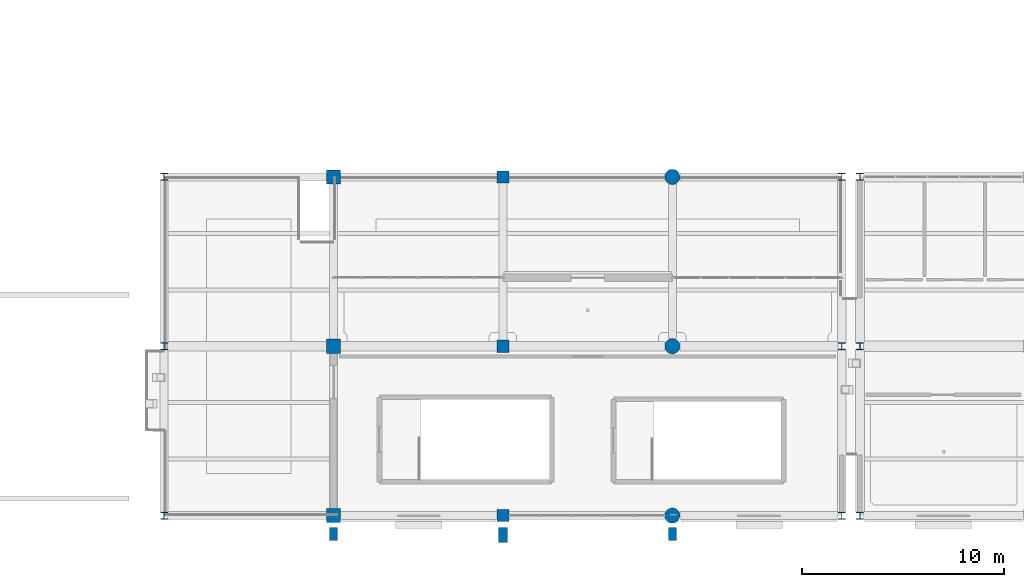
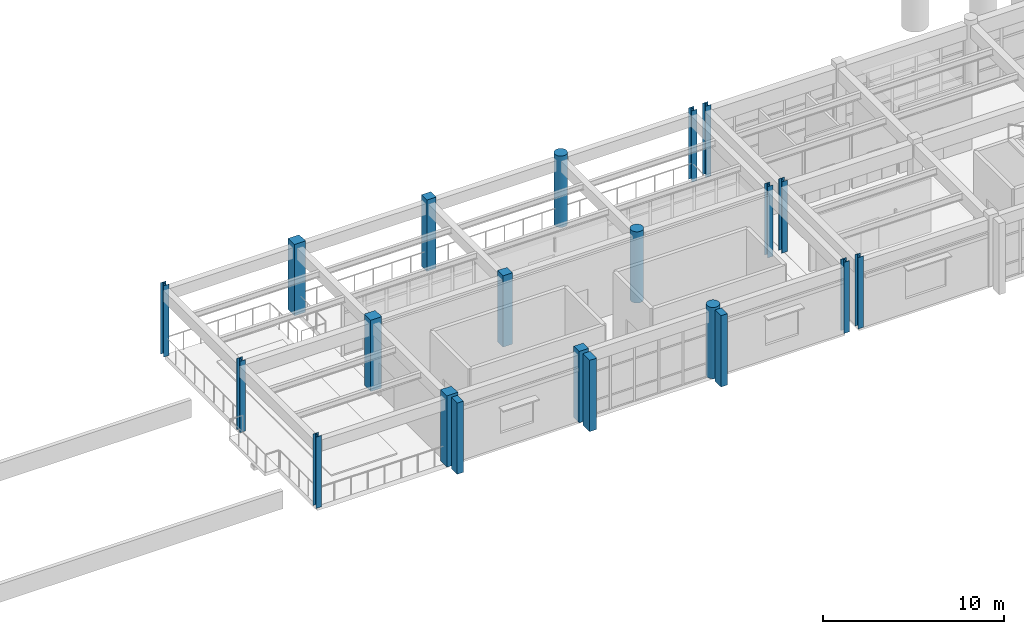
# One storey, part 3 of 139: 21 columns.
"""IFC4 building model written with IfcOpenShell, lengths in metres."""

from ifc_helpers import new_model, si_unit, direction, frame, origin, origin_2d, place, context, subcontext, project, spatial, rectangle, circle, i_section, extrude, material, material_profile, profile_set, type_object, element, save


model = new_model("IFC4")

# Units and contexts
model_context = context("Model", 3, precision=1e-05, world=origin(), true_north=direction((0.0, 1.0)))
body_context = subcontext(model_context, "Body", "Model", "MODEL_VIEW")
ifc_project = project(units=[si_unit("LENGTHUNIT", "METRE"), si_unit("AREAUNIT", "SQUARE_METRE"), si_unit("VOLUMEUNIT", "CUBIC_METRE"), si_unit("PLANEANGLEUNIT", "RADIAN"), si_unit("MASSUNIT", "GRAM", prefix="KILO")], contexts=[model_context])

# Site, building, storey
site_placement = place(None, origin())
site = spatial("IfcSite", under=ifc_project, at=site_placement, CompositionType="ELEMENT")
building_placement = place(site_placement, origin())
building = spatial("IfcBuilding", under=site, at=building_placement, Name="Canglan Escarpment Cableway Terminal", CompositionType="ELEMENT")
storey_placement = place(building_placement, frame((0.0, 0.0, 14.39990234375)))
storey = spatial("IfcBuildingStorey", under=building, at=storey_placement, Name="L03", CompositionType="ELEMENT", Elevation=14.39990234375)

# Columns
ifc_material_1 = material(Name="Steel Q355C", Category="steel")
ifc_material_profile_1 = material_profile(ifc_material_1, i_section(OverallWidth=0.35009765625, OverallDepth=0.35009765625, WebThickness=0.011962890625, FlangeThickness=0.01904296875, FilletRadius=0.02001953125, at=origin_2d()), Name="HW 350x350x12x19")
ifc_profile_set_1 = profile_set([ifc_material_profile_1], Name="Steel Q355C")
column_type_1 = type_object("IfcColumnType", Name="COL-HW350-Q355C", PredefinedType="COLUMN", material=ifc_profile_set_1)
for number, where, z_axis, x_axis, name in (
    (1, (77.0, 8.0, 0.0), (0.0, 0.0, 1.0), (1.0, 0.0, 0.0), "Structural column C-09"),
    (2, (77.0, 16.39990234375, 0.0), (0.0, 0.0, 1.0), (1.0, 0.0, 0.0), "Structural column C-09"),
    (3, (77.0, 24.800048828125, 0.0), (0.0, 0.0, 1.0), (1.0, 0.0, 0.0), "Structural column C-09"),
    (4, (110.60009765625, 8.0, 0.0), (0.0, 0.0, 1.0), (1.0, 0.0, 0.0), "Structural column C-09"),
    (5, (110.60009765625, 16.39990234375, 0.0), (0.0, 0.0, 1.0), (1.0, 0.0, 0.0), "Structural column C-09"),
    (6, (110.60009765625, 24.800048828125, 0.0), (0.0, 0.0, 1.0), (1.0, 0.0, 0.0), "Structural column C-09"),
    (7, (111.5, 8.0, 0.0), (0.0, 0.0, 1.0), (1.0, 0.0, 0.0), "Structural column C-09"),
    (8, (111.5, 16.39990234375, 0.0), (0.0, 0.0, 1.0), (1.0, 0.0, 0.0), "Structural column C-09"),
    (9, (111.5, 24.800048828125, 0.0), (0.0, 0.0, 1.0), (1.0, 0.0, 0.0), "Structural column C-09"),
):
    element("IfcColumn", number, at=place(storey_placement, frame(where, z_axis=z_axis, x_axis=x_axis)), inside=storey, type_object=column_type_1, Name=name, PredefinedType="COLUMN", context=body_context, shape_type="SweptSolid", body=[
        extrude(i_section(OverallWidth=0.35009765625, OverallDepth=0.35009765625, WebThickness=0.011962890625, FlangeThickness=0.01904296875, FilletRadius=0.02001953125, at=origin_2d()), origin(), (0.0, 0.0, 1.0), 4.800048828125),
    ])
ifc_material_2 = material(Name="Concrete C40", Category="concrete")
ifc_material_profile_2 = material_profile(ifc_material_2, rectangle(XDim=0.60009765625, YDim=0.60009765625, at=origin_2d()), Name="RC 600x600")
ifc_profile_set_2 = profile_set([ifc_material_profile_2], Name="Concrete C40")
column_type_2 = type_object("IfcColumnType", Name="COL-RC600-C40", PredefinedType="COLUMN", material=ifc_profile_set_2)
for number, where, z_axis, x_axis, name in (
    (10, (93.800048828125, 8.0, 0.0), (0.0, 0.0, 1.0), (1.0, 0.0, 0.0), "Structural column C-05"),
    (11, (93.800048828125, 16.39990234375, 0.0), (0.0, 0.0, 1.0), (1.0, 0.0, 0.0), "Structural column C-05"),
    (12, (93.800048828125, 24.800048828125, 0.0), (0.0, 0.0, 1.0), (1.0, 0.0, 0.0), "Structural column C-05"),
):
    element("IfcColumn", number, at=place(storey_placement, frame(where, z_axis=z_axis, x_axis=x_axis)), inside=storey, type_object=column_type_2, Name=name, PredefinedType="COLUMN", context=body_context, shape_type="SweptSolid", body=[
        extrude(rectangle(XDim=0.60009765625, YDim=0.60009765625, at=origin_2d()), origin(), (0.0, 0.0, 1.0), 4.800048828125),
    ])
ifc_material_profile_3 = material_profile(ifc_material_2, rectangle(XDim=0.699951171875, YDim=0.699951171875, at=origin_2d()), Name="RC 700x700")
ifc_profile_set_3 = profile_set([ifc_material_profile_3], Name="Concrete C40")
column_type_3 = type_object("IfcColumnType", Name="COL-RC700-C40", PredefinedType="COLUMN", material=ifc_profile_set_3)
for number, where, z_axis, x_axis, name in (
    (13, (85.39990234375, 8.0, 0.0), (0.0, 0.0, 1.0), (1.0, 0.0, 0.0), "Structural column C-04"),
    (14, (85.39990234375, 16.39990234375, 0.0), (0.0, 0.0, 1.0), (1.0, 0.0, 0.0), "Structural column C-04"),
    (15, (85.39990234375, 24.800048828125, 0.0), (0.0, 0.0, 1.0), (1.0, 0.0, 0.0), "Structural column C-04"),
):
    element("IfcColumn", number, at=place(storey_placement, frame(where, z_axis=z_axis, x_axis=x_axis)), inside=storey, type_object=column_type_3, Name=name, PredefinedType="COLUMN", context=body_context, shape_type="SweptSolid", body=[
        extrude(rectangle(XDim=0.699951171875, YDim=0.699951171875, at=origin_2d()), origin(), (0.0, 0.0, 1.0), 4.800048828125),
    ])
ifc_material_profile_4 = material_profile(ifc_material_2, circle(Radius=0.375, at=origin_2d()), Name="RC-CIRC D750")
ifc_profile_set_4 = profile_set([ifc_material_profile_4], Name="Concrete C40")
column_type_4 = type_object("IfcColumnType", Name="COL-RCC750-C40", PredefinedType="COLUMN", material=ifc_profile_set_4)
for number, where, z_axis, x_axis, name in (
    (16, (102.199951171875, 8.0, 0.0), (0.0, 0.0, 1.0), (1.0, 0.0, 0.0), "Structural column C-07"),
    (17, (102.199951171875, 16.39990234375, 0.0), (0.0, 0.0, 1.0), (1.0, 0.0, 0.0), "Structural column C-07"),
    (18, (102.199951171875, 24.800048828125, 0.0), (0.0, 0.0, 1.0), (1.0, 0.0, 0.0), "Structural column C-07"),
):
    element("IfcColumn", number, at=place(storey_placement, frame(where, z_axis=z_axis, x_axis=x_axis)), inside=storey, type_object=column_type_4, Name=name, PredefinedType="COLUMN", context=body_context, shape_type="SweptSolid", body=[
        extrude(circle(Radius=0.375, at=origin_2d()), origin(), (0.0, 0.0, 1.0), 4.800048828125),
    ])
ifc_material_profile_5 = material_profile(ifc_material_2, rectangle(XDim=0.39990234375, YDim=0.64990234375, at=origin_2d()), Name="RC-PIL 400x650")
ifc_profile_set_5 = profile_set([ifc_material_profile_5], Name="Concrete C40")
column_type_5 = type_object("IfcColumnType", Name="PIL-RC400x650", PredefinedType="PILASTER", material=ifc_profile_set_5)
for number, where, z_axis, x_axis, name in (
    (19, (85.39990234375, 7.094970703125, 0.0), (0.0, 0.0, 1.0), (1.0, 0.0, 0.0), "Neoclassical engaged pilaster PL-02"),
    (20, (102.199951171875, 7.094970703125, 0.0), (0.0, 0.0, 1.0), (1.0, 0.0, 0.0), "Neoclassical engaged pilaster PL-02"),
):
    element("IfcColumn", number, at=place(storey_placement, frame(where, z_axis=z_axis, x_axis=x_axis)), inside=storey, type_object=column_type_5, Name=name, PredefinedType="PILASTER", context=body_context, shape_type="SweptSolid", body=[
        extrude(rectangle(XDim=0.39990234375, YDim=0.64990234375, at=origin_2d()), origin(), (0.0, 0.0, 1.0), 4.800048828125),
    ])
ifc_material_profile_6 = material_profile(ifc_material_2, rectangle(XDim=0.449951171875, YDim=0.75, at=origin_2d()), Name="RC-PIL 450x750")
ifc_profile_set_6 = profile_set([ifc_material_profile_6], Name="Concrete C40")
column_type_6 = type_object("IfcColumnType", Name="PIL-RC450x750", PredefinedType="PILASTER", material=ifc_profile_set_6)
column_placement = place(storey_placement, frame((93.800048828125, 7.044921875, 0.0), z_axis=(0.0, 0.0, 1.0), x_axis=(1.0, 0.0, 0.0)))
element("IfcColumn", 21, at=column_placement, inside=storey, type_object=column_type_6, Name="Neoclassical engaged pilaster PL-01", PredefinedType="PILASTER", context=body_context, shape_type="SweptSolid", body=[
    extrude(rectangle(XDim=0.449951171875, YDim=0.75, at=origin_2d()), origin(), (0.0, 0.0, 1.0), 4.800048828125),
])

save(model, "model.ifc")
